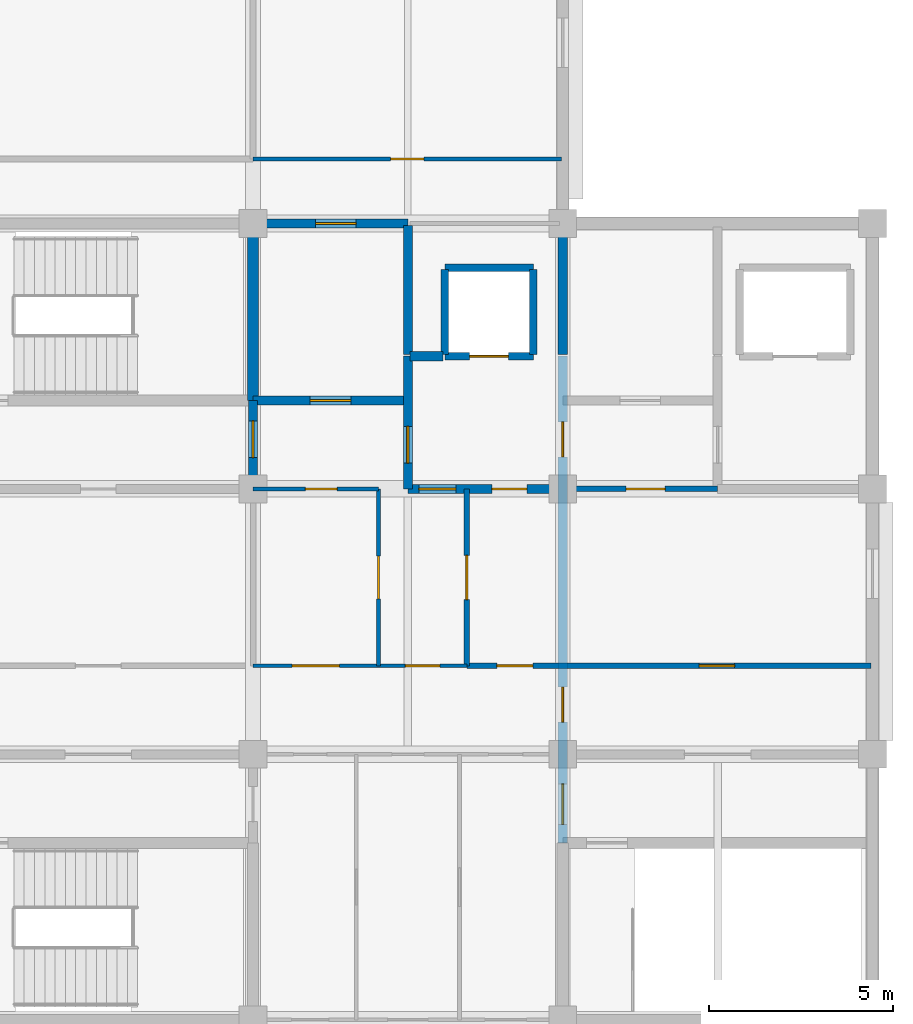
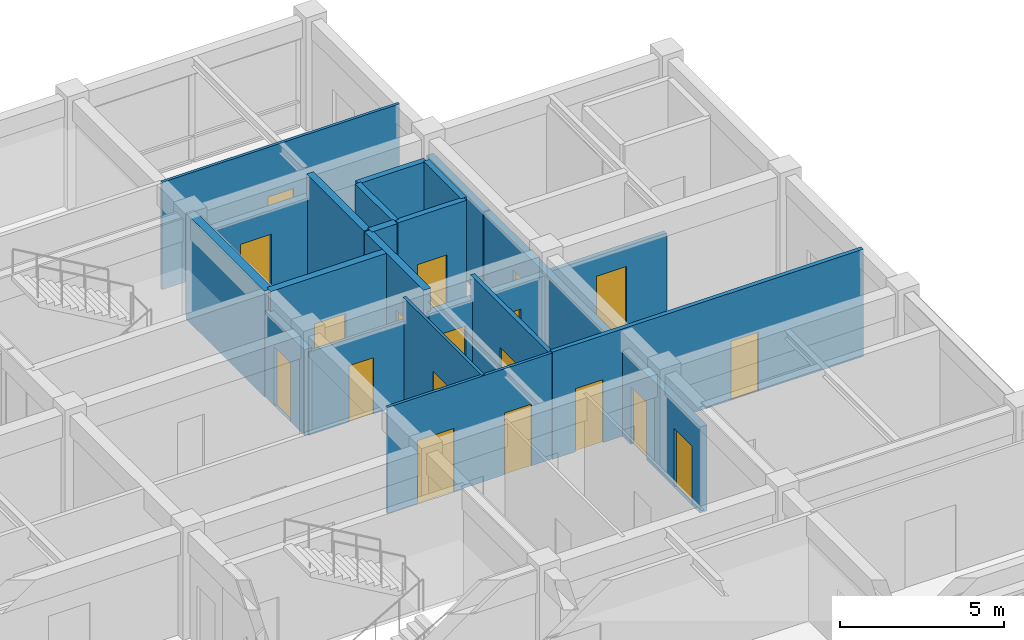
# One storey, part 19 of 23: 21 walls, 19 doors, 19 openings.
"""IFC4 building model written with IfcOpenShell, lengths in metres."""

from ifc_helpers import new_model, si_unit, direction, frame, frame_2d, origin, place, context, subcontext, project, spatial, rectangle, extrude, material, layer, layer_set, type_object, element, fill, save


model = new_model("IFC4")

# Units and contexts
model_context = context("Model", 3, precision=1e-05, world=origin(), true_north=direction((0.0, 1.0)))
body_context = subcontext(model_context, "Body", "Model", "MODEL_VIEW")
ifc_project = project(units=[si_unit("LENGTHUNIT", "METRE"), si_unit("AREAUNIT", "SQUARE_METRE"), si_unit("VOLUMEUNIT", "CUBIC_METRE"), si_unit("PLANEANGLEUNIT", "RADIAN"), si_unit("MASSUNIT", "GRAM", prefix="KILO")], contexts=[model_context])

# Site, building, storey
site_placement = place(None, origin())
site = spatial("IfcSite", under=ifc_project, at=site_placement, CompositionType="ELEMENT")
building_placement = place(site_placement, origin())
building = spatial("IfcBuilding", under=site, at=building_placement, Name="Chengyuan Square Courthouse", CompositionType="ELEMENT")
storey_placement = place(building_placement, frame((0.0, 0.0, 43.5)))
storey = spatial("IfcBuildingStorey", under=building, at=storey_placement, Name="L10", CompositionType="ELEMENT", Elevation=43.5)

# Wall, openings, doors
ifc_material_1 = material(Name="Concrete C40", Category="concrete")
ifc_layer_1 = layer(ifc_material_1, 0.25)
ifc_layer_set_1 = layer_set([ifc_layer_1], Name="Concrete C40")
wall_type_1 = type_object("IfcWallType", Name="WL-FW1", PredefinedType="STANDARD", material=ifc_layer_set_1)
wall_1_placement = place(storey_placement, frame((113.39990234375, 100.800048828125, 0.0), z_axis=(0.0, 0.0, 1.0), x_axis=(1.0, 0.0, 0.0)))
wall_1 = element("IfcWall", 1, at=wall_1_placement, inside=storey, type_object=wall_type_1, Name="Interior Wall WL-L10-I3348", PredefinedType="STANDARD", context=body_context, shape_type="SweptSolid", body=[
    extrude(rectangle(XDim=4.2001953125, YDim=0.25, at=frame_2d((2.10009765625, 0.0))), origin(), (0.0, 0.0, 1.0), 3.10009765625),
])
opening_1_placement = place(wall_1_placement, frame((0.300048828125, 0.0, 0.0)))
opening_1 = element("IfcOpeningElement", 2, at=opening_1_placement, cuts=wall_1, Name="Opening DR-2832", PredefinedType="OPENING", context=body_context, shape_type="SweptSolid", body=[
    extrude(rectangle(XDim=1.0, YDim=2.199951171875, at=frame_2d((0.5, 1.10009765625))), frame((0.0, 0.136962890625, 0.0), z_axis=(0.0, -1.0, 0.0), x_axis=(1.0, 0.0, 0.0)), (0.0, 0.0, 1.0), 0.27392578125),
])
opening_2_placement = place(wall_1_placement, frame((2.277587890625, 0.0, 0.0)))
opening_2 = element("IfcOpeningElement", 3, at=opening_2_placement, cuts=wall_1, Name="Opening DR-2833", PredefinedType="OPENING", context=body_context, shape_type="SweptSolid", body=[
    extrude(rectangle(XDim=0.949951171875, YDim=2.14990234375, at=frame_2d((0.47509765625, 1.074951171875))), frame((0.0, 0.136962890625, 0.0), z_axis=(0.0, -1.0, 0.0), x_axis=(1.0, 0.0, 0.0)), (0.0, 0.0, 1.0), 0.27392578125),
])
ifc_material_2 = material(Name="Steel Q235B Fire Door", Category="steel")
door_type_1 = type_object("IfcDoorType", Name="DT-11", OperationType="NOTDEFINED", PredefinedType="DOOR", material=ifc_material_2)
door_1_placement = place(opening_1_placement, origin())
door_1 = element("IfcDoor", 4, at=door_1_placement, inside=storey, type_object=door_type_1, Name="Interior Door DR-2832", OperationType="SINGLE_SWING_LEFT", OverallHeight=2.199951171875, OverallWidth=1.0, PredefinedType="DOOR", context=body_context, shape_type="SweptSolid", body=[
    extrude(rectangle(XDim=1.0, YDim=2.199951171875, at=frame_2d((0.5, 1.10009765625))), frame((0.0, 0.02490234375, 0.0), z_axis=(0.0, -1.0, 0.0), x_axis=(1.0, 0.0, 0.0)), (0.0, 0.0, 1.0), 0.050048828125),
])
fill(opening_1, door_1)
door_type_2 = type_object("IfcDoorType", Name="DT-12", OperationType="NOTDEFINED", PredefinedType="DOOR", material=ifc_material_2)
door_2_placement = place(opening_2_placement, origin())
door_2 = element("IfcDoor", 5, at=door_2_placement, inside=storey, type_object=door_type_2, Name="Interior Door DR-2833", OperationType="SINGLE_SWING_RIGHT", OverallHeight=2.14990234375, OverallWidth=0.949951171875, PredefinedType="DOOR", context=body_context, shape_type="SweptSolid", body=[
    extrude(rectangle(XDim=0.949951171875, YDim=2.14990234375, at=frame_2d((0.47509765625, 1.074951171875))), frame((0.0, 0.02490234375, 0.0), z_axis=(0.0, -1.0, 0.0), x_axis=(1.0, 0.0, 0.0)), (0.0, 0.0, 1.0), 0.050048828125),
])
fill(opening_2, door_2)

# Wall, opening, door
wall_2_placement = place(storey_placement, frame((109.199951171875, 103.199951171875, 0.0), z_axis=(0.0, 0.0, 1.0), x_axis=(1.0, 0.0, 0.0)))
wall_2 = element("IfcWall", 6, at=wall_2_placement, inside=storey, type_object=wall_type_1, Name="Interior Wall WL-L10-I3357", PredefinedType="STANDARD", context=body_context, shape_type="SweptSolid", body=[
    extrude(rectangle(XDim=4.199951171875, YDim=0.25, at=frame_2d((2.10009765625, 0.0))), origin(), (0.0, 0.0, 1.0), 3.949951171875),
])
opening_3_placement = place(wall_2_placement, frame((1.550048828125, 0.0, 0.0)))
opening_3 = element("IfcOpeningElement", 7, at=opening_3_placement, cuts=wall_2, Name="Opening DR-2828", PredefinedType="OPENING", context=body_context, shape_type="SweptSolid", body=[
    extrude(rectangle(XDim=1.10009765625, YDim=2.199951171875, at=frame_2d((0.550048828125, 1.10009765625))), frame((0.0, 0.136962890625, 0.0), z_axis=(0.0, -1.0, 0.0), x_axis=(1.0, 0.0, 0.0)), (0.0, 0.0, 1.0), 0.27392578125),
])
door_type_3 = type_object("IfcDoorType", Name="DT-10", OperationType="NOTDEFINED", PredefinedType="DOOR", material=ifc_material_2)
door_3_placement = place(opening_3_placement, origin())
door_3 = element("IfcDoor", 8, at=door_3_placement, inside=storey, type_object=door_type_3, Name="Interior Door DR-2828", OperationType="SINGLE_SWING_LEFT", OverallHeight=2.199951171875, OverallWidth=1.10009765625, PredefinedType="DOOR", context=body_context, shape_type="SweptSolid", body=[
    extrude(rectangle(XDim=1.10009765625, YDim=2.199951171875, at=frame_2d((0.550048828125, 1.10009765625))), frame((0.0, 0.02490234375, 0.0), z_axis=(0.0, -1.0, 0.0), x_axis=(1.0, 0.0, 0.0)), (0.0, 0.0, 1.0), 0.050048828125),
])
fill(opening_3, door_3)

# Wall
wall_3_placement = place(storey_placement, frame((113.449951171875, 104.39990234375, 0.0), z_axis=(0.0, 0.0, 1.0), x_axis=(1.0, 0.0, 0.0)))
element("IfcWall", 9, at=wall_3_placement, inside=storey, type_object=wall_type_1, Name="Interior Wall WL-L10-I3369", PredefinedType="STANDARD", context=body_context, shape_type="SweptSolid", body=[
    extrude(rectangle(XDim=0.900146484375, YDim=0.25, at=frame_2d((0.4501953125, 0.0))), origin(), (0.0, 0.0, 1.0), 3.949951171875),
])

# Wall, opening, door
wall_4_placement = place(storey_placement, frame((109.199951171875, 108.0, 0.0), z_axis=(0.0, 0.0, 1.0), x_axis=(1.0, 0.0, 0.0)))
wall_4 = element("IfcWall", 10, at=wall_4_placement, inside=storey, type_object=wall_type_1, Name="Interior Wall WL-L10-I3393", PredefinedType="STANDARD", context=body_context, shape_type="SweptSolid", body=[
    extrude(rectangle(XDim=4.199951171875, YDim=0.25, at=frame_2d((2.10009765625, 0.0))), origin(), (0.0, 0.0, 1.0), 3.10009765625),
])
opening_4_placement = place(wall_4_placement, frame((1.697509765625, 0.0, 0.0)))
opening_4 = element("IfcOpeningElement", 11, at=opening_4_placement, cuts=wall_4, Name="Opening DR-2831", PredefinedType="OPENING", context=body_context, shape_type="SweptSolid", body=[
    extrude(rectangle(XDim=1.10009765625, YDim=2.199951171875, at=frame_2d((0.550048828125, 1.10009765625))), frame((0.0, 0.136962890625, 0.0), z_axis=(0.0, -1.0, 0.0), x_axis=(1.0, 0.0, 0.0)), (0.0, 0.0, 1.0), 0.27392578125),
])
door_4_placement = place(opening_4_placement, origin())
door_4 = element("IfcDoor", 12, at=door_4_placement, inside=storey, type_object=door_type_3, Name="Interior Door DR-2831", OperationType="SINGLE_SWING_RIGHT", OverallHeight=2.199951171875, OverallWidth=1.10009765625, PredefinedType="DOOR", context=body_context, shape_type="SweptSolid", body=[
    extrude(rectangle(XDim=1.10009765625, YDim=2.199951171875, at=frame_2d((0.550048828125, 1.10009765625))), frame((0.0, 0.02490234375, 0.0), z_axis=(0.0, -1.0, 0.0), x_axis=(1.0, 0.0, 0.0)), (0.0, 0.0, 1.0), 0.050048828125),
])
fill(opening_4, door_4)

wall_5_placement = place(storey_placement, frame((109.199951171875, 100.800048828125, 0.0), z_axis=(0.0, 0.0, 1.0), x_axis=(0.0, 1.0, 0.0)))
wall_5 = element("IfcWall", 13, at=wall_5_placement, inside=storey, type_object=wall_type_1, Name="Interior Wall WL-L10-I3487", PredefinedType="STANDARD", context=body_context, shape_type="SweptSolid", body=[
    extrude(rectangle(XDim=2.39990234375, YDim=0.25, at=frame_2d((1.199951171875, 0.0))), origin(), (0.0, 0.0, 1.0), 3.199951171875),
])
opening_5_placement = place(wall_5_placement, frame((0.847412109375, 0.0, 0.0)))
opening_5 = element("IfcOpeningElement", 14, at=opening_5_placement, cuts=wall_5, Name="Opening DR-2781", PredefinedType="OPENING", context=body_context, shape_type="SweptSolid", body=[
    extrude(rectangle(XDim=1.0, YDim=2.199951171875, at=frame_2d((0.5, 1.10009765625))), frame((0.0, 0.136962890625, 0.0), z_axis=(0.0, -1.0, 0.0), x_axis=(1.0, 0.0, 0.0)), (0.0, 0.0, 1.0), 0.27392578125),
])
door_5_placement = place(opening_5_placement, origin())
door_5 = element("IfcDoor", 15, at=door_5_placement, inside=storey, type_object=door_type_1, Name="Interior Door DR-2781", OperationType="SINGLE_SWING_LEFT", OverallHeight=2.199951171875, OverallWidth=1.0, PredefinedType="DOOR", context=body_context, shape_type="SweptSolid", body=[
    extrude(rectangle(XDim=1.0, YDim=2.199951171875, at=frame_2d((0.5, 1.10009765625))), frame((0.0, 0.02490234375, 0.0), z_axis=(0.0, -1.0, 0.0), x_axis=(1.0, 0.0, 0.0)), (0.0, 0.0, 1.0), 0.050048828125),
])
fill(opening_5, door_5)

wall_6_placement = place(storey_placement, frame((113.39990234375, 100.800048828125, 0.0), z_axis=(0.0, 0.0, 1.0), x_axis=(0.0, 1.0, 0.0)))
wall_6 = element("IfcWall", 16, at=wall_6_placement, inside=storey, type_object=wall_type_1, Name="Interior Wall WL-L10-I3492", PredefinedType="STANDARD", context=body_context, shape_type="SweptSolid", body=[
    extrude(rectangle(XDim=3.599853515625, YDim=0.25, at=frame_2d((1.7998046875, 0.0))), origin(), (0.0, 0.0, 1.0), 3.949951171875),
])
opening_6_placement = place(wall_6_placement, frame((0.699951171875, 0.0, 0.0)))
opening_6 = element("IfcOpeningElement", 17, at=opening_6_placement, cuts=wall_6, Name="Opening DR-2829", PredefinedType="OPENING", context=body_context, shape_type="SweptSolid", body=[
    extrude(rectangle(XDim=1.0, YDim=2.199951171875, at=frame_2d((0.5, 1.10009765625))), frame((0.0, 0.136962890625, 0.0), z_axis=(0.0, -1.0, 0.0), x_axis=(1.0, 0.0, 0.0)), (0.0, 0.0, 1.0), 0.27392578125),
])
door_6_placement = place(opening_6_placement, origin())
door_6 = element("IfcDoor", 18, at=door_6_placement, inside=storey, type_object=door_type_1, Name="Interior Door DR-2829", OperationType="SINGLE_SWING_RIGHT", OverallHeight=2.199951171875, OverallWidth=1.0, PredefinedType="DOOR", context=body_context, shape_type="SweptSolid", body=[
    extrude(rectangle(XDim=1.0, YDim=2.199951171875, at=frame_2d((0.5, 1.10009765625))), frame((0.0, 0.02490234375, 0.0), z_axis=(0.0, -1.0, 0.0), x_axis=(1.0, 0.0, 0.0)), (0.0, 0.0, 1.0), 0.050048828125),
])
fill(opening_6, door_6)

# Wall
wall_7_placement = place(storey_placement, frame((113.39990234375, 104.449951171875, 0.0), z_axis=(0.0, 0.0, 1.0), x_axis=(0.0, 1.0, 0.0)))
element("IfcWall", 19, at=wall_7_placement, inside=storey, type_object=wall_type_1, Name="Interior Wall WL-L10-I3493", PredefinedType="STANDARD", context=body_context, shape_type="SweptSolid", body=[
    extrude(rectangle(XDim=3.5, YDim=0.25, at=frame_2d((1.75, 0.0))), origin(), (0.0, 0.0, 1.0), 3.949951171875),
])

# Wall, openings, doors
wall_8_placement = place(storey_placement, frame((117.60009765625, 91.199951171875, 0.0), z_axis=(0.0, 0.0, 1.0), x_axis=(0.0, 1.0, 0.0)))
wall_8 = element("IfcWall", 20, at=wall_8_placement, inside=storey, type_object=wall_type_1, Name="Interior Wall WL-L10-I3500", PredefinedType="STANDARD", context=body_context, shape_type="SweptSolid", body=[
    extrude(rectangle(XDim=13.199951171875, YDim=0.25, at=frame_2d((6.60009765625, 0.0))), origin(), (0.0, 0.0, 1.0), 3.199951171875),
])
opening_7_placement = place(wall_8_placement, frame((0.50244140625, 0.0, 0.0)))
opening_7 = element("IfcOpeningElement", 21, at=opening_7_placement, cuts=wall_8, Name="Opening DR-2792", PredefinedType="OPENING", context=body_context, shape_type="SweptSolid", body=[
    extrude(rectangle(XDim=1.10009765625, YDim=2.199951171875, at=frame_2d((0.550048828125, 1.10009765625))), frame((0.0, 0.136962890625, 0.0), z_axis=(0.0, -1.0, 0.0), x_axis=(1.0, 0.0, 0.0)), (0.0, 0.0, 1.0), 0.27392578125),
])
opening_8_placement = place(wall_8_placement, frame((10.472412109375, 0.0, 0.0)))
opening_8 = element("IfcOpeningElement", 22, at=opening_8_placement, cuts=wall_8, Name="Opening DR-2809", PredefinedType="OPENING", context=body_context, shape_type="SweptSolid", body=[
    extrude(rectangle(XDim=0.949951171875, YDim=2.14990234375, at=frame_2d((0.47509765625, 1.074951171875))), frame((0.0, 0.136962890625, 0.0), z_axis=(0.0, -1.0, 0.0), x_axis=(1.0, 0.0, 0.0)), (0.0, 0.0, 1.0), 0.27392578125),
])
opening_9_placement = place(wall_8_placement, frame((3.2724609375, 0.0, 0.0)))
opening_9 = element("IfcOpeningElement", 23, at=opening_9_placement, cuts=wall_8, Name="Opening DR-2851", PredefinedType="OPENING", context=body_context, shape_type="SweptSolid", body=[
    extrude(rectangle(XDim=0.949951171875, YDim=2.14990234375, at=frame_2d((0.47509765625, 1.074951171875))), frame((0.0, 0.136962890625, 0.0), z_axis=(0.0, -1.0, 0.0), x_axis=(1.0, 0.0, 0.0)), (0.0, 0.0, 1.0), 0.27392578125),
])
door_7_placement = place(opening_7_placement, origin())
door_7 = element("IfcDoor", 24, at=door_7_placement, inside=storey, type_object=door_type_3, Name="Interior Door DR-2792", OperationType="SINGLE_SWING_RIGHT", OverallHeight=2.199951171875, OverallWidth=1.10009765625, PredefinedType="DOOR", context=body_context, shape_type="SweptSolid", body=[
    extrude(rectangle(XDim=1.10009765625, YDim=2.199951171875, at=frame_2d((0.550048828125, 1.10009765625))), frame((0.0, 0.02490234375, 0.0), z_axis=(0.0, -1.0, 0.0), x_axis=(1.0, 0.0, 0.0)), (0.0, 0.0, 1.0), 0.050048828125),
])
fill(opening_7, door_7)
door_8_placement = place(opening_8_placement, origin())
door_8 = element("IfcDoor", 25, at=door_8_placement, inside=storey, type_object=door_type_2, Name="Interior Door DR-2809", OperationType="SINGLE_SWING_LEFT", OverallHeight=2.14990234375, OverallWidth=0.949951171875, PredefinedType="DOOR", context=body_context, shape_type="SweptSolid", body=[
    extrude(rectangle(XDim=0.949951171875, YDim=2.14990234375, at=frame_2d((0.47509765625, 1.074951171875))), frame((0.0, 0.02490234375, 0.0), z_axis=(0.0, -1.0, 0.0), x_axis=(1.0, 0.0, 0.0)), (0.0, 0.0, 1.0), 0.050048828125),
])
fill(opening_8, door_8)
door_9_placement = place(opening_9_placement, origin())
door_9 = element("IfcDoor", 26, at=door_9_placement, inside=storey, type_object=door_type_2, Name="Interior Door DR-2851", OperationType="SINGLE_SWING_LEFT", OverallHeight=2.14990234375, OverallWidth=0.949951171875, PredefinedType="DOOR", context=body_context, shape_type="SweptSolid", body=[
    extrude(rectangle(XDim=0.949951171875, YDim=2.14990234375, at=frame_2d((0.47509765625, 1.074951171875))), frame((0.0, 0.02490234375, 0.0), z_axis=(0.0, -1.0, 0.0), x_axis=(1.0, 0.0, 0.0)), (0.0, 0.0, 1.0), 0.050048828125),
])
fill(opening_9, door_9)

# Wall
wall_9_placement = place(storey_placement, frame((117.60009765625, 104.449951171875, 0.0), z_axis=(0.0, 0.0, 1.0), x_axis=(0.0, 1.0, 0.0)))
element("IfcWall", 27, at=wall_9_placement, inside=storey, type_object=wall_type_1, Name="Interior Wall WL-L10-I3501", PredefinedType="STANDARD", context=body_context, shape_type="SweptSolid", body=[
    extrude(rectangle(XDim=3.4599609375, YDim=0.25, at=frame_2d((1.72998046875, 0.0))), origin(), (0.0, 0.0, 1.0), 3.199951171875),
])

# Wall, openings, doors
ifc_material_3 = material(Name="Deliberation Room Sound-Insulated Partition")
ifc_layer_2 = layer(ifc_material_3, 0.14990234375)
ifc_layer_set_2 = layer_set([ifc_layer_2], Name="Deliberation Room Sound-Insulated Partition")
wall_type_2 = type_object("IfcWallType", Name="WL-PT3", PredefinedType="STANDARD", material=ifc_layer_set_2)
wall_10_placement = place(storey_placement, frame((115.0, 96.0, 0.0), z_axis=(0.0, 0.0, 1.0), x_axis=(1.0, 0.0, 0.0)))
wall_10 = element("IfcWall", 28, at=wall_10_placement, inside=storey, type_object=wall_type_2, Name="Interior Wall WL-L10-I3336", PredefinedType="STANDARD", context=body_context, shape_type="SweptSolid", body=[
    extrude(rectangle(XDim=10.9599609375, YDim=0.14990234375, at=frame_2d((5.47998046875, 0.0))), origin(), (0.0, 0.0, 1.0), 4.0),
])
opening_10_placement = place(wall_10_placement, frame((0.81005859375, 0.0, 0.0)))
opening_10 = element("IfcOpeningElement", 29, at=opening_10_placement, cuts=wall_10, Name="Opening DR-2859", PredefinedType="OPENING", context=body_context, shape_type="SweptSolid", body=[
    extrude(rectangle(XDim=0.97998046875, YDim=2.35009765625, at=frame_2d((0.489990234375, 1.175048828125))), frame((0.0, 0.0869140625, 0.0), z_axis=(0.0, -1.0, 0.0), x_axis=(1.0, 0.0, 0.0)), (0.0, 0.0, 1.0), 0.173828125),
])
opening_11_placement = place(wall_10_placement, frame((6.300048828125, 0.0, 0.0)))
opening_11 = element("IfcOpeningElement", 30, at=opening_11_placement, cuts=wall_10, Name="Opening DR-2866", PredefinedType="OPENING", context=body_context, shape_type="SweptSolid", body=[
    extrude(rectangle(XDim=0.9599609375, YDim=2.199951171875, at=frame_2d((0.47998046875, 1.10009765625))), frame((0.0, 0.0869140625, 0.0), z_axis=(0.0, -1.0, 0.0), x_axis=(1.0, 0.0, 0.0)), (0.0, 0.0, 1.0), 0.173828125),
])
ifc_material_4 = material(Name="Acoustic Solid-Core Timber Door", Category="wood")
door_type_4 = type_object("IfcDoorType", Name="DT-30", OperationType="NOTDEFINED", PredefinedType="DOOR", material=ifc_material_4)
door_10_placement = place(opening_11_placement, origin())
door_10 = element("IfcDoor", 31, at=door_10_placement, inside=storey, type_object=door_type_4, Name="Interior Door DR-2866", OperationType="SINGLE_SWING_RIGHT", OverallHeight=2.199951171875, OverallWidth=0.9599609375, PredefinedType="DOOR", context=body_context, shape_type="SweptSolid", body=[
    extrude(rectangle(XDim=0.9599609375, YDim=2.199951171875, at=frame_2d((0.47998046875, 1.10009765625))), frame((0.0, 0.02490234375, 0.0), z_axis=(0.0, -1.0, 0.0), x_axis=(1.0, 0.0, 0.0)), (0.0, 0.0, 1.0), 0.050048828125),
])
fill(opening_11, door_10)
door_type_5 = type_object("IfcDoorType", Name="DT-40", OperationType="NOTDEFINED", PredefinedType="DOOR", material=ifc_material_4)
door_11_placement = place(opening_10_placement, origin())
door_11 = element("IfcDoor", 32, at=door_11_placement, inside=storey, type_object=door_type_5, Name="Interior Door DR-2859", OperationType="SINGLE_SWING_LEFT", OverallHeight=2.35009765625, OverallWidth=0.97998046875, PredefinedType="DOOR", context=body_context, shape_type="SweptSolid", body=[
    extrude(rectangle(XDim=0.97998046875, YDim=2.35009765625, at=frame_2d((0.489990234375, 1.175048828125))), frame((0.0, 0.02490234375, 0.0), z_axis=(0.0, -1.0, 0.0), x_axis=(1.0, 0.0, 0.0)), (0.0, 0.0, 1.0), 0.050048828125),
])
fill(opening_10, door_11)

# Wall, opening, door
wall_11_placement = place(storey_placement, frame((117.60009765625, 100.800048828125, 0.0), z_axis=(0.0, 0.0, 1.0), x_axis=(1.0, 0.0, 0.0)))
wall_11 = element("IfcWall", 33, at=wall_11_placement, inside=storey, type_object=wall_type_2, Name="Interior Wall WL-L10-I3349", PredefinedType="STANDARD", context=body_context, shape_type="SweptSolid", body=[
    extrude(rectangle(XDim=4.199951171875, YDim=0.14990234375, at=frame_2d((2.10009765625, 0.0))), origin(), (0.0, 0.0, 1.0), 3.14990234375),
])
opening_12_placement = place(wall_11_placement, frame((1.717529296875, 0.0, 0.0)))
opening_12 = element("IfcOpeningElement", 34, at=opening_12_placement, cuts=wall_11, Name="Opening DR-2810", PredefinedType="OPENING", context=body_context, shape_type="SweptSolid", body=[
    extrude(rectangle(XDim=1.06005859375, YDim=2.39990234375, at=frame_2d((0.530029296875, 1.199951171875))), frame((0.0, 0.0869140625, 0.0), z_axis=(0.0, -1.0, 0.0), x_axis=(1.0, 0.0, 0.0)), (0.0, 0.0, 1.0), 0.173828125),
])
door_type_6 = type_object("IfcDoorType", Name="DT-42", OperationType="NOTDEFINED", PredefinedType="DOOR", material=ifc_material_4)
door_12_placement = place(opening_12_placement, origin())
door_12 = element("IfcDoor", 35, at=door_12_placement, inside=storey, type_object=door_type_6, Name="Interior Door DR-2810", OperationType="SINGLE_SWING_RIGHT", OverallHeight=2.39990234375, OverallWidth=1.06005859375, PredefinedType="DOOR", context=body_context, shape_type="SweptSolid", body=[
    extrude(rectangle(XDim=1.06005859375, YDim=2.39990234375, at=frame_2d((0.530029296875, 1.199951171875))), frame((0.0, 0.02490234375, 0.0), z_axis=(0.0, -1.0, 0.0), x_axis=(1.0, 0.0, 0.0)), (0.0, 0.0, 1.0), 0.050048828125),
])
fill(opening_12, door_12)

wall_12_placement = place(storey_placement, frame((115.0, 96.0, 0.0), z_axis=(0.0, 0.0, 1.0), x_axis=(0.0, 1.0, 0.0)))
wall_12 = element("IfcWall", 36, at=wall_12_placement, inside=storey, type_object=wall_type_2, Name="Interior Wall WL-L10-I3496", PredefinedType="STANDARD", context=body_context, shape_type="SweptSolid", body=[
    extrude(rectangle(XDim=4.800048828125, YDim=0.14990234375, at=frame_2d((2.39990234375, 0.0))), origin(), (0.0, 0.0, 1.0), 3.949951171875),
])
opening_13_placement = place(wall_12_placement, frame((1.800048828125, 0.0, 0.0)))
opening_13 = element("IfcOpeningElement", 37, at=opening_13_placement, cuts=wall_12, Name="Opening DR-2872", PredefinedType="OPENING", context=body_context, shape_type="SweptSolid", body=[
    extrude(rectangle(XDim=1.199951171875, YDim=2.35009765625, at=frame_2d((0.60009765625, 1.175048828125))), frame((0.0, 0.0869140625, 0.0), z_axis=(0.0, -1.0, 0.0), x_axis=(1.0, 0.0, 0.0)), (0.0, 0.0, 1.0), 0.173828125),
])
door_type_7 = type_object("IfcDoorType", Name="DT-36", OperationType="NOTDEFINED", PredefinedType="DOOR", material=ifc_material_4)
door_13_placement = place(opening_13_placement, origin())
door_13 = element("IfcDoor", 38, at=door_13_placement, inside=storey, type_object=door_type_7, Name="Interior Door DR-2872", OperationType="SINGLE_SWING_RIGHT", OverallHeight=2.35009765625, OverallWidth=1.199951171875, PredefinedType="DOOR", context=body_context, shape_type="SweptSolid", body=[
    extrude(rectangle(XDim=1.199951171875, YDim=2.35009765625, at=frame_2d((0.60009765625, 1.175048828125))), frame((0.0, 0.02490234375, 0.0), z_axis=(0.0, -1.0, 0.0), x_axis=(1.0, 0.0, 0.0)), (0.0, 0.0, 1.0), 0.050048828125),
])
fill(opening_13, door_13)

# Wall, openings, doors
ifc_material_5 = material(Name="Gypsum Plasterboard Acoustic Stud Partition")
ifc_layer_3 = layer(ifc_material_5, 0.10009765625)
ifc_layer_set_3 = layer_set([ifc_layer_3], Name="Gypsum Plasterboard Acoustic Stud Partition")
wall_type_3 = type_object("IfcWallType", Name="WL-PT6", PredefinedType="STANDARD", material=ifc_layer_set_3)
wall_13_placement = place(storey_placement, frame((109.199951171875, 96.0, 0.0), z_axis=(0.0, 0.0, 1.0), x_axis=(1.0, 0.0, 0.0)))
wall_13 = element("IfcWall", 39, at=wall_13_placement, inside=storey, type_object=wall_type_3, Name="Interior Wall WL-L10-I3335", PredefinedType="STANDARD", context=body_context, shape_type="SweptSolid", body=[
    extrude(rectangle(XDim=5.800048828125, YDim=0.10009765625, at=frame_2d((2.89990234375, 0.0))), origin(), (0.0, 0.0, 1.0), 3.949951171875),
])
opening_14_placement = place(wall_13_placement, frame((1.06005859375, 0.0, 0.0)))
opening_14 = element("IfcOpeningElement", 40, at=opening_14_placement, cuts=wall_13, Name="Opening DR-2857", PredefinedType="OPENING", context=body_context, shape_type="SweptSolid", body=[
    extrude(rectangle(XDim=1.280029296875, YDim=2.35009765625, at=frame_2d((0.64013671875, 1.175048828125))), frame((0.0, 0.06201171875, 0.0), z_axis=(0.0, -1.0, 0.0), x_axis=(1.0, 0.0, 0.0)), (0.0, 0.0, 1.0), 0.1240234375),
])
opening_15_placement = place(wall_13_placement, frame((4.1298828125, 0.0, 0.0)))
opening_15 = element("IfcOpeningElement", 41, at=opening_15_placement, cuts=wall_13, Name="Opening DR-2858", PredefinedType="OPENING", context=body_context, shape_type="SweptSolid", body=[
    extrude(rectangle(XDim=0.93994140625, YDim=2.300048828125, at=frame_2d((0.469970703125, 1.14990234375))), frame((0.0, 0.06201171875, 0.0), z_axis=(0.0, -1.0, 0.0), x_axis=(1.0, 0.0, 0.0)), (0.0, 0.0, 1.0), 0.1240234375),
])
door_type_8 = type_object("IfcDoorType", Name="DT-38", OperationType="NOTDEFINED", PredefinedType="DOOR", material=ifc_material_4)
door_14_placement = place(opening_14_placement, origin())
door_14 = element("IfcDoor", 42, at=door_14_placement, inside=storey, type_object=door_type_8, Name="Interior Door DR-2857", OperationType="SINGLE_SWING_LEFT", OverallHeight=2.35009765625, OverallWidth=1.280029296875, PredefinedType="DOOR", context=body_context, shape_type="SweptSolid", body=[
    extrude(rectangle(XDim=1.280029296875, YDim=2.35009765625, at=frame_2d((0.64013671875, 1.175048828125))), frame((0.0, 0.02490234375, 0.0), z_axis=(0.0, -1.0, 0.0), x_axis=(1.0, 0.0, 0.0)), (0.0, 0.0, 1.0), 0.050048828125),
])
fill(opening_14, door_14)
door_type_9 = type_object("IfcDoorType", Name="DT-39", OperationType="NOTDEFINED", PredefinedType="DOOR", material=ifc_material_4)
door_15_placement = place(opening_15_placement, origin())
door_15 = element("IfcDoor", 43, at=door_15_placement, inside=storey, type_object=door_type_9, Name="Interior Door DR-2858", OperationType="SINGLE_SWING_RIGHT", OverallHeight=2.300048828125, OverallWidth=0.93994140625, PredefinedType="DOOR", context=body_context, shape_type="SweptSolid", body=[
    extrude(rectangle(XDim=0.93994140625, YDim=2.300048828125, at=frame_2d((0.469970703125, 1.14990234375))), frame((0.0, 0.02490234375, 0.0), z_axis=(0.0, -1.0, 0.0), x_axis=(1.0, 0.0, 0.0)), (0.0, 0.0, 1.0), 0.050048828125),
])
fill(opening_15, door_15)

# Wall, opening, door
wall_14_placement = place(storey_placement, frame((109.199951171875, 100.800048828125, 0.0), z_axis=(0.0, 0.0, 1.0), x_axis=(1.0, 0.0, 0.0)))
wall_14 = element("IfcWall", 44, at=wall_14_placement, inside=storey, type_object=wall_type_3, Name="Interior Wall WL-L10-I3347", PredefinedType="STANDARD", context=body_context, shape_type="SweptSolid", body=[
    extrude(rectangle(XDim=3.400146484375, YDim=0.10009765625, at=frame_2d((1.7001953125, 0.0))), origin(), (0.0, 0.0, 1.0), 3.10009765625),
])
opening_16_placement = place(wall_14_placement, frame((1.41748046875, 0.0, 0.0)))
opening_16 = element("IfcOpeningElement", 45, at=opening_16_placement, cuts=wall_14, Name="Opening DR-2830", PredefinedType="OPENING", context=body_context, shape_type="SweptSolid", body=[
    extrude(rectangle(XDim=0.860107421875, YDim=2.10009765625, at=frame_2d((0.43017578125, 1.050048828125))), frame((0.0, 0.06201171875, 0.0), z_axis=(0.0, -1.0, 0.0), x_axis=(1.0, 0.0, 0.0)), (0.0, 0.0, 1.0), 0.1240234375),
])
door_type_10 = type_object("IfcDoorType", Name="DT-28", OperationType="NOTDEFINED", PredefinedType="DOOR", material=ifc_material_4)
door_16_placement = place(opening_16_placement, origin())
door_16 = element("IfcDoor", 46, at=door_16_placement, inside=storey, type_object=door_type_10, Name="Interior Door DR-2830", OperationType="SINGLE_SWING_LEFT", OverallHeight=2.10009765625, OverallWidth=0.860107421875, PredefinedType="DOOR", context=body_context, shape_type="SweptSolid", body=[
    extrude(rectangle(XDim=0.860107421875, YDim=2.10009765625, at=frame_2d((0.43017578125, 1.050048828125))), frame((0.0, 0.02490234375, 0.0), z_axis=(0.0, -1.0, 0.0), x_axis=(1.0, 0.0, 0.0)), (0.0, 0.0, 1.0), 0.050048828125),
])
fill(opening_16, door_16)

wall_15_placement = place(storey_placement, frame((109.199951171875, 109.75, 0.0), z_axis=(0.0, 0.0, 1.0), x_axis=(1.0, 0.0, 0.0)))
wall_15 = element("IfcWall", 47, at=wall_15_placement, inside=storey, type_object=wall_type_3, Name="Interior Wall WL-L10-I3399", PredefinedType="STANDARD", context=body_context, shape_type="SweptSolid", body=[
    extrude(rectangle(XDim=8.360107421875, YDim=0.10009765625, at=frame_2d((4.18017578125, 0.0))), origin(), (0.0, 0.0, 1.0), 4.0),
])
opening_17_placement = place(wall_15_placement, frame((3.72998046875, 0.0, 0.0)))
opening_17 = element("IfcOpeningElement", 48, at=opening_17_placement, cuts=wall_15, Name="Opening DR-2897", PredefinedType="OPENING", context=body_context, shape_type="SweptSolid", body=[
    extrude(rectangle(XDim=0.89990234375, YDim=2.14990234375, at=frame_2d((0.449951171875, 1.074951171875))), frame((0.0, 0.06201171875, 0.0), z_axis=(0.0, -1.0, 0.0), x_axis=(1.0, 0.0, 0.0)), (0.0, 0.0, 1.0), 0.1240234375),
])
door_type_11 = type_object("IfcDoorType", Name="DT-27", OperationType="NOTDEFINED", PredefinedType="DOOR", material=ifc_material_4)
door_17_placement = place(opening_17_placement, origin())
door_17 = element("IfcDoor", 49, at=door_17_placement, inside=storey, type_object=door_type_11, Name="Interior Door DR-2897", OperationType="SINGLE_SWING_RIGHT", OverallHeight=2.14990234375, OverallWidth=0.89990234375, PredefinedType="DOOR", context=body_context, shape_type="SweptSolid", body=[
    extrude(rectangle(XDim=0.89990234375, YDim=2.14990234375, at=frame_2d((0.449951171875, 1.074951171875))), frame((0.0, 0.02490234375, 0.0), z_axis=(0.0, -1.0, 0.0), x_axis=(1.0, 0.0, 0.0)), (0.0, 0.0, 1.0), 0.050048828125),
])
fill(opening_17, door_17)

wall_16_placement = place(storey_placement, frame((112.60009765625, 96.0, 0.0), z_axis=(0.0, 0.0, 1.0), x_axis=(0.0, 1.0, 0.0)))
wall_16 = element("IfcWall", 50, at=wall_16_placement, inside=storey, type_object=wall_type_3, Name="Interior Wall WL-L10-I3491", PredefinedType="STANDARD", context=body_context, shape_type="SweptSolid", body=[
    extrude(rectangle(XDim=4.800048828125, YDim=0.10009765625, at=frame_2d((2.39990234375, 0.0))), origin(), (0.0, 0.0, 1.0), 3.949951171875),
])
opening_18_placement = place(wall_16_placement, frame((1.820068359375, 0.0, 0.0)))
opening_18 = element("IfcOpeningElement", 51, at=opening_18_placement, cuts=wall_16, Name="Opening DR-2871", PredefinedType="OPENING", context=body_context, shape_type="SweptSolid", body=[
    extrude(rectangle(XDim=1.159912109375, YDim=2.300048828125, at=frame_2d((0.580078125, 1.14990234375))), frame((0.0, 0.06201171875, 0.0), z_axis=(0.0, -1.0, 0.0), x_axis=(1.0, 0.0, 0.0)), (0.0, 0.0, 1.0), 0.1240234375),
])
door_type_12 = type_object("IfcDoorType", Name="DT-35", OperationType="NOTDEFINED", PredefinedType="DOOR", material=ifc_material_4)
door_18_placement = place(opening_18_placement, origin())
door_18 = element("IfcDoor", 52, at=door_18_placement, inside=storey, type_object=door_type_12, Name="Interior Door DR-2871", OperationType="SINGLE_SWING_LEFT", OverallHeight=2.300048828125, OverallWidth=1.159912109375, PredefinedType="DOOR", context=body_context, shape_type="SweptSolid", body=[
    extrude(rectangle(XDim=1.159912109375, YDim=2.300048828125, at=frame_2d((0.580078125, 1.14990234375))), frame((0.0, 0.02490234375, 0.0), z_axis=(0.0, -1.0, 0.0), x_axis=(1.0, 0.0, 0.0)), (0.0, 0.0, 1.0), 0.050048828125),
])
fill(opening_18, door_18)

ifc_material_6 = material(Name="Reinforced Masonry Shaft Enclosure", Category="masonry")
ifc_layer_4 = layer(ifc_material_6, 0.199951171875)
ifc_layer_set_4 = layer_set([ifc_layer_4], Name="Reinforced Masonry Shaft Enclosure")
wall_type_4 = type_object("IfcWallType", Name="WL-SH1", PredefinedType="STANDARD", material=ifc_layer_set_4)
wall_17_placement = place(storey_placement, frame((114.39990234375, 104.39990234375, 0.0), z_axis=(0.0, 0.0, 1.0), x_axis=(1.0, 0.0, 0.0)))
wall_17 = element("IfcWall", 53, at=wall_17_placement, inside=storey, type_object=wall_type_4, Name="Interior Wall WL-L10-I3370", PredefinedType="STANDARD", context=body_context, shape_type="SweptSolid", body=[
    extrude(rectangle(XDim=2.400146484375, YDim=0.199951171875, at=frame_2d((1.2001953125, 0.0))), origin(), (0.0, 0.0, 1.0), 3.949951171875),
])
opening_19_placement = place(wall_17_placement, frame((0.675048828125, 0.0, 0.0)))
opening_19 = element("IfcOpeningElement", 54, at=opening_19_placement, cuts=wall_17, Name="Opening LD-180", PredefinedType="OPENING", context=body_context, shape_type="SweptSolid", body=[
    extrude(rectangle(XDim=1.050048828125, YDim=2.14990234375, at=frame_2d((0.52490234375, 1.074951171875))), frame((0.0, 0.112060546875, 0.0), z_axis=(0.0, -1.0, 0.0), x_axis=(1.0, 0.0, 0.0)), (0.0, 0.0, 1.0), 0.223876953125),
])
ifc_material_7 = material(Name="Stainless Steel S30408 Lift Landing Door", Category="steel")
door_type_13 = type_object("IfcDoorType", Name="DT-08", OperationType="DOUBLE_DOOR_SLIDING", PredefinedType="DOOR", material=ifc_material_7)
door_19_placement = place(opening_19_placement, origin())
door_19 = element("IfcDoor", 55, at=door_19_placement, inside=storey, type_object=door_type_13, Name="Lift Landing Door LF-C2 L10", OperationType="DOUBLE_DOOR_SLIDING", OverallHeight=2.14990234375, OverallWidth=1.050048828125, PredefinedType="DOOR", context=body_context, shape_type="SweptSolid", body=[
    extrude(rectangle(XDim=1.050048828125, YDim=2.14990234375, at=frame_2d((0.52490234375, 1.074951171875))), frame((0.0, 0.02490234375, 0.0), z_axis=(0.0, -1.0, 0.0), x_axis=(1.0, 0.0, 0.0)), (0.0, 0.0, 1.0), 0.050048828125),
])
fill(opening_19, door_19)

# Walls
wall_18_placement = place(storey_placement, frame((114.39990234375, 106.800048828125, 0.0), z_axis=(0.0, 0.0, 1.0), x_axis=(1.0, 0.0, 0.0)))
element("IfcWall", 56, at=wall_18_placement, inside=storey, type_object=wall_type_4, Name="Interior Wall WL-L10-I3380", PredefinedType="STANDARD", context=body_context, shape_type="SweptSolid", body=[
    extrude(rectangle(XDim=2.400146484375, YDim=0.199951171875, at=frame_2d((1.2001953125, 0.0))), origin(), (0.0, 0.0, 1.0), 3.949951171875),
])
for number, where, z_axis, x_axis, name in (
    (57, (114.39990234375, 104.449951171875, 0.0), (0.0, 0.0, 1.0), (0.0, 1.0, 0.0), "Interior Wall WL-L10-I3494"),
    (58, (116.800048828125, 104.449951171875, 0.0), (0.0, 0.0, 1.0), (0.0, 1.0, 0.0), "Interior Wall WL-L10-I3497"),
):
    element("IfcWall", number, at=place(storey_placement, frame(where, z_axis=z_axis, x_axis=x_axis)), inside=storey, type_object=wall_type_4, Name=name, PredefinedType="STANDARD", context=body_context, shape_type="SweptSolid", body=[
        extrude(rectangle(XDim=2.300048828125, YDim=0.199951171875, at=frame_2d((1.14990234375, 0.0))), origin(), (0.0, 0.0, 1.0), 3.949951171875),
    ])
ifc_layer_5 = layer(ifc_material_1, 0.300048828125)
ifc_layer_set_5 = layer_set([ifc_layer_5], Name="Concrete C40")
wall_type_5 = type_object("IfcWallType", Name="WL-SW2", PredefinedType="SHEAR", material=ifc_layer_set_5)
wall_19_placement = place(storey_placement, frame((109.199951171875, 103.199951171875, 0.0), z_axis=(0.0, 0.0, 1.0), x_axis=(0.0, 1.0, 0.0)))
element("IfcWall", 59, at=wall_19_placement, inside=storey, type_object=wall_type_5, Name="Interior Wall WL-L10-I3488", PredefinedType="SHEAR", context=body_context, shape_type="SweptSolid", body=[
    extrude(rectangle(XDim=4.800048828125, YDim=0.300048828125, at=frame_2d((2.39990234375, 0.0))), origin(), (0.0, 0.0, 1.0), 3.949951171875),
])

save(model, "model.ifc")
